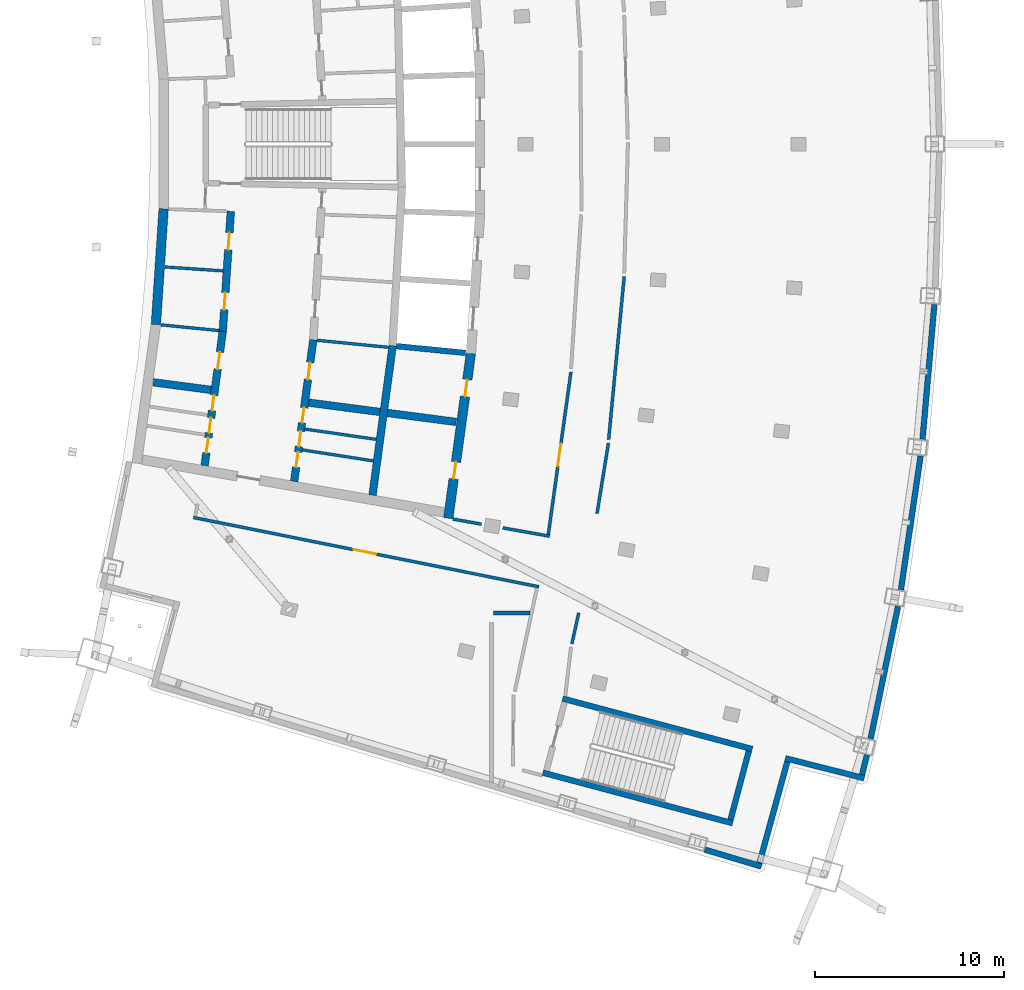
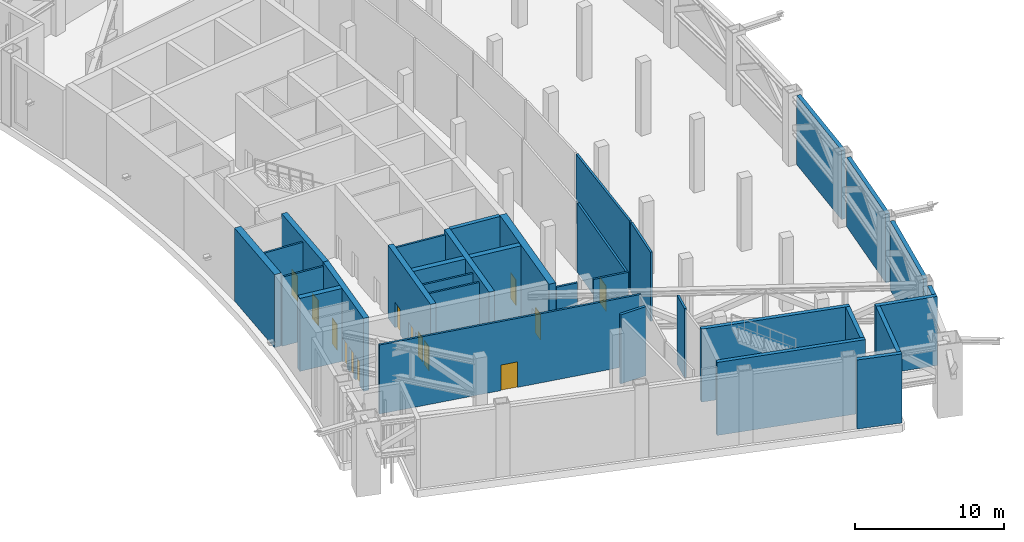
# One storey, part 14 of 23: 33 walls, 14 doors, 14 openings.
"""IFC4 building model written with IfcOpenShell, lengths in metres."""

import ifcopenshell
import ifcopenshell.guid

model = None  # the IFC model being written
_history = None  # IfcOwnerHistory: only IFC2X3 demands one
_inside = {}  # id of a spatial element -> (the spatial element, [elements in it])
_under = {}  # id of a project, library or spatial element -> (it, [spatial elements below it])
_declared = {}  # id of a project -> (the project, [libraries it declares])
_typed = {}  # id of a type object -> (the type object, [elements of that type])
_made_of = {}  # id of a material, layer set ... -> (it, [elements and type objects made of it])


def new_model(schema):
    """Start an empty IFC model of exactly this schema.

    Asked for "IFC4X3", IfcOpenShell would pick the latest addendum, in which some entities
    have other attributes; the version numbers below select the first issue.
    IFC2X3 requires an IfcOwnerHistory on every rooted entity: one is made here for all.
    """
    global model, _history
    if schema == "IFC4X3":
        model = ifcopenshell.file(schema_version=(4, 3, 0, 0))
    else:
        model = ifcopenshell.file(schema=schema)
    _inside.clear()
    _under.clear()
    _declared.clear()
    _typed.clear()
    _made_of.clear()
    _history = None
    if model.schema == "IFC2X3":
        org = make("IfcOrganization", Name="unknown")
        user = make(
            "IfcPersonAndOrganization",
            ThePerson=make("IfcPerson", FamilyName="unknown"),
            TheOrganization=org,
        )
        app = make(
            "IfcApplication",
            ApplicationDeveloper=org,
            Version="unknown",
            ApplicationFullName="unknown",
            ApplicationIdentifier="unknown",
        )
        _history = make(
            "IfcOwnerHistory",
            OwningUser=user,
            OwningApplication=app,
            ChangeAction="ADDED",
            CreationDate=0,
        )
    return model


def make(cls, **values):
    """One entity of the class cls with the attributes given. An attribute that is None is left unset."""
    return model.create_entity(
        cls, **{name: value for name, value in values.items() if value is not None}
    )


def rooted(cls, **values):
    """An entity with a GlobalId (a new one), such as an element, a storey or a relation."""
    return make(cls, GlobalId=ifcopenshell.guid.new(), OwnerHistory=_history, **values)


def si_unit(unit_type, name, prefix=None):
    """IfcSIUnit, for example si_unit("LENGTHUNIT", "METRE", prefix="MILLI")."""
    return make("IfcSIUnit", UnitType=unit_type, Prefix=prefix, Name=name)


def assignment(units):
    """IfcUnitAssignment: the units of a project."""
    return None if units is None else make("IfcUnitAssignment", Units=units)


def point(xyz):
    """IfcCartesianPoint."""
    return None if xyz is None else make("IfcCartesianPoint", Coordinates=xyz)


def direction(xyz):
    """IfcDirection."""
    return None if xyz is None else make("IfcDirection", DirectionRatios=xyz)


def frame(location, z_axis=None, x_axis=None):
    """IfcAxis2Placement3D, a coordinate frame: its origin and axes. An axis left out is left unset."""
    return make(
        "IfcAxis2Placement3D",
        Location=point(location),
        Axis=direction(z_axis),
        RefDirection=direction(x_axis),
    )


def frame_2d(location, x_axis=None):
    """IfcAxis2Placement2D, a coordinate frame in the plane: its origin and x axis."""
    return make(
        "IfcAxis2Placement2D", Location=point(location), RefDirection=direction(x_axis)
    )


def origin():
    """The frame at (0, 0, 0) with its axes left unset."""
    return frame((0.0, 0.0, 0.0))


def place(relative_to, where):
    """IfcLocalPlacement: puts the frame where relative to a parent placement (None: the world)."""
    return make(
        "IfcLocalPlacement", PlacementRelTo=relative_to, RelativePlacement=where
    )


def context(
    kind, dimensions, precision=None, world=None, true_north=None, identifier=None
):
    """IfcGeometricRepresentationContext, for example the 3D "Model" context."""
    return make(
        "IfcGeometricRepresentationContext",
        ContextIdentifier=identifier,
        ContextType=kind,
        CoordinateSpaceDimension=dimensions,
        Precision=precision,
        WorldCoordinateSystem=world,
        TrueNorth=true_north,
    )


def subcontext(parent, identifier, kind, view, scale=None):
    """IfcGeometricRepresentationSubContext, for example "Body" below "Model"."""
    return make(
        "IfcGeometricRepresentationSubContext",
        ContextIdentifier=identifier,
        ContextType=kind,
        ParentContext=parent,
        TargetScale=scale,
        TargetView=view,
    )


def project(units=None, contexts=None):
    """IfcProject with its units and contexts."""
    return rooted(
        "IfcProject",
        Name="project",
        RepresentationContexts=contexts,
        UnitsInContext=assignment(units),
    )


def spatial(cls, under=None, at=None, **own):
    """A site, building, storey or space (cls), placed at a placement, below another one or the project."""
    s = rooted(cls, ObjectPlacement=at, **own)
    if under is not None:
        _under.setdefault(under.id(), (under, []))[1].append(s)
    return s


def profile(cls, at=None, kind="AREA", **sizes):
    """A parametric profile (cls). Its sizes go by their IFC names, for example OverallWidth=200.0."""
    return make(cls, ProfileType=kind, Position=at, **sizes)


def rectangle(**sizes):
    """IfcRectangleProfileDef."""
    return profile("IfcRectangleProfileDef", **sizes)


def extrude(swept, where, along, depth):
    """IfcExtrudedAreaSolid: the profile swept, set in the frame where, extruded along a direction by depth."""
    return make(
        "IfcExtrudedAreaSolid",
        SweptArea=swept,
        Position=where,
        ExtrudedDirection=direction(along),
        Depth=depth,
    )


def shape(context_of_items, identifier, shape_type, items):
    """IfcShapeRepresentation: the items that make up one representation, for example the "Body"."""
    return make(
        "IfcShapeRepresentation",
        ContextOfItems=context_of_items,
        RepresentationIdentifier=identifier,
        RepresentationType=shape_type,
        Items=items,
    )


def material(Name=None, Category=None):
    """IfcMaterial."""
    return make("IfcMaterial", Name=Name, Category=Category)


def layer(
    of_material, thickness, ventilated=None, Name=None, Category=None, Priority=None
):
    """IfcMaterialLayer: one layer of a wall or slab, of a material (None: an air gap)."""
    return make(
        "IfcMaterialLayer",
        Material=of_material,
        LayerThickness=thickness,
        IsVentilated=ventilated,
        Name=Name,
        Category=Category,
        Priority=Priority,
    )


def layer_set(layers, Name=None):
    """IfcMaterialLayerSet."""
    return make("IfcMaterialLayerSet", MaterialLayers=layers, LayerSetName=Name)


def made_of(thing, what):
    """Note that an element or type object is made of a material, layer set ...; save() writes the relation."""
    if what is not None:
        _made_of.setdefault(what.id(), (what, []))[1].append(thing)
    return thing


def type_object(cls, material=None, **own):
    """A type object (cls), such as IfcWallType, which elements share."""
    return made_of(rooted(cls, **own), material)


def element(
    cls,
    number,
    at=None,
    inside=None,
    cuts=None,
    type_object=None,
    material=None,
    context=None,
    identifier="Body",
    shape_type=None,
    held_by="IfcProductDefinitionShape",
    body=None,
    shapes=None,
    **own,
):
    """One element of the class cls, such as IfcWall. Its Tag is "e" and its number.

    at: its placement. inside: the storey or other place that contains it. cuts: it is an
    opening in that element (IfcRelVoidsElement). A single representation is given by context,
    identifier, shape_type and body (its items); several are given by shapes. held_by: the class
    of the entity that holds the representations. save() writes the other relations.
    """
    e = rooted(cls, Tag="e%d" % number, ObjectPlacement=at, **own)
    if body is not None:
        shapes = [shape(context, identifier, shape_type, body)]
    if shapes is not None:
        e.Representation = make(held_by, Representations=shapes)
    if inside is not None:
        _inside.setdefault(inside.id(), (inside, []))[1].append(e)
    if cuts is not None:
        rooted(
            "IfcRelVoidsElement", RelatingBuildingElement=cuts, RelatedOpeningElement=e
        )
    if type_object is not None:
        _typed.setdefault(type_object.id(), (type_object, []))[1].append(e)
    return made_of(e, material)


def fill(opening, filler):
    """IfcRelFillsElement: the door or window that sits in an opening."""
    return rooted(
        "IfcRelFillsElement",
        RelatingOpeningElement=opening,
        RelatedBuildingElement=filler,
    )


def aggregate(whole, parts):
    """IfcRelAggregates: a whole, such as a stair, and the parts it consists of."""
    return rooted("IfcRelAggregates", RelatingObject=whole, RelatedObjects=parts)


def save(model, path):
    """Write the relations noted so far, then the file.

    IfcRelAggregates (storeys below a building ...), IfcRelContainedInSpatialStructure (elements
    in a storey), IfcRelDefinesByType, IfcRelAssociatesMaterial and IfcRelDeclares: one each for
    every whole, place, type object, material and project.
    """
    for whole, parts in _under.values():
        aggregate(whole, parts)
    for where, things in _inside.values():
        rooted(
            "IfcRelContainedInSpatialStructure",
            RelatedElements=things,
            RelatingStructure=where,
        )
    for kind, things in _typed.values():
        rooted("IfcRelDefinesByType", RelatedObjects=things, RelatingType=kind)
    for what, things in _made_of.values():
        rooted("IfcRelAssociatesMaterial", RelatedObjects=things, RelatingMaterial=what)
    for by, libraries in _declared.values():
        rooted("IfcRelDeclares", RelatingContext=by, RelatedDefinitions=libraries)
    model.write(path)


model = new_model("IFC4")

# Units and contexts
model_context = context("Model", 3, precision=1e-05, world=origin(), true_north=direction((0.0, 1.0)))
body_context = subcontext(model_context, "Body", "Model", "MODEL_VIEW")
ifc_project = project(units=[si_unit("LENGTHUNIT", "METRE"), si_unit("AREAUNIT", "SQUARE_METRE"), si_unit("VOLUMEUNIT", "CUBIC_METRE"), si_unit("PLANEANGLEUNIT", "RADIAN"), si_unit("MASSUNIT", "GRAM", prefix="KILO")], contexts=[model_context])

# Site, building, storey
site_placement = place(None, origin())
site = spatial("IfcSite", under=ifc_project, at=site_placement, CompositionType="ELEMENT")
building_placement = place(site_placement, origin())
building = spatial("IfcBuilding", under=site, at=building_placement, Name="Alderwake Tower", CompositionType="ELEMENT")
storey_placement = place(building_placement, frame((0.0, 0.0, 239.60009765625)))
storey = spatial("IfcBuildingStorey", under=building, at=storey_placement, Name="L59", CompositionType="ELEMENT", Elevation=239.60009765625)

# Walls
ifc_material_1 = material(Name="Gypsum shaft wall system, rated")
ifc_layer_1 = layer(ifc_material_1, 0.14990234375)
ifc_layer_set_1 = layer_set([ifc_layer_1], Name="Core room partition 150")
wall_type_1 = type_object("IfcWallType", Name="Core room partition 150", PredefinedType="PARTITIONING", material=ifc_layer_set_1)
wall_1_placement = place(storey_placement, frame((24.007568359375, 44.859130859375, 0.0), z_axis=(0.0, 0.0, 1.0), x_axis=(0.98816936707, -0.153366560842, 0.0)))
element("IfcWall", 1, at=wall_1_placement, inside=storey, type_object=wall_type_1, Name="CW/L59/PR-161_+86", PredefinedType="PARTITIONING", context=body_context, shape_type="SweptSolid", body=[
    extrude(rectangle(XDim=3.796630859375, YDim=0.14990234375, at=frame_2d((1.8984375, 0.0))), origin(), (0.0, 0.0, 1.0), 5.679931640625),
])
wall_2_placement = place(storey_placement, frame((24.156005859375, 45.956298828125, 0.0), z_axis=(0.0, 0.0, 1.0), x_axis=(0.989733513529, -0.142925057975, 0.0)))
element("IfcWall", 2, at=wall_2_placement, inside=storey, type_object=wall_type_1, Name="CW/L59/PR-150_+86", PredefinedType="PARTITIONING", context=body_context, shape_type="SweptSolid", body=[
    extrude(rectangle(XDim=3.795654296875, YDim=0.14990234375, at=frame_2d((1.89794921875, 0.0))), origin(), (0.0, 0.0, 1.0), 5.679931640625),
])
wall_3_placement = place(storey_placement, frame((16.559814453125, 51.458251953125, 0.0), z_axis=(0.0, 0.0, 1.0), x_axis=(0.99515693677, -0.098298887065, 0.0)))
element("IfcWall", 3, at=wall_3_placement, inside=storey, type_object=wall_type_1, Name="CW/L59/PR-103_+0", PredefinedType="PARTITIONING", context=body_context, shape_type="SweptSolid", body=[
    extrude(rectangle(XDim=3.06982421875, YDim=0.14990234375, at=frame_2d((1.534912109375, 0.0))), origin(), (0.0, 0.0, 1.0), 5.679931640625),
])
wall_4_placement = place(storey_placement, frame((24.789794921875, 50.64501953125, 0.0), z_axis=(0.0, 0.0, 1.0), x_axis=(0.995153039802, -0.098338331148, 0.0)))
element("IfcWall", 4, at=wall_4_placement, inside=storey, type_object=wall_type_1, Name="CW/L59/PR-103_+86", PredefinedType="PARTITIONING", context=body_context, shape_type="SweptSolid", body=[
    extrude(rectangle(XDim=3.7958984375, YDim=0.14990234375, at=frame_2d((1.89794921875, 0.0))), origin(), (0.0, 0.0, 1.0), 5.679931640625),
])
wall_5_placement = place(storey_placement, frame((16.7646484375, 54.512939453125, 0.0), z_axis=(0.0, 0.0, 1.0), x_axis=(0.997758318264, -0.066920388042, 0.0)))
element("IfcWall", 5, at=wall_5_placement, inside=storey, type_object=wall_type_1, Name="CW/L59/PR-70_+0", PredefinedType="PARTITIONING", context=body_context, shape_type="SweptSolid", body=[
    extrude(rectangle(XDim=3.068115234375, YDim=0.14990234375, at=frame_2d((1.5341796875, 0.0))), origin(), (0.0, 0.0, 1.0), 5.679931640625),
])
ifc_material_2 = material(Name="Concrete C70/85", Category="concrete")
ifc_layer_2 = layer(ifc_material_2, 0.5)
ifc_layer_set_2 = layer_set([ifc_layer_2], Name="Core wall outer 500 C70-85")
wall_type_2 = type_object("IfcWallType", Name="Core wall outer 500 C70-85", PredefinedType="SHEAR", material=ifc_layer_set_2)
wall_6_placement = place(storey_placement, frame((16.280517578125, 51.4765625, 0.0), z_axis=(0.0, 0.0, 1.0), x_axis=(0.066863022947, 0.997762164127, 0.0)))
element("IfcWall", 6, at=wall_6_placement, inside=storey, type_object=wall_type_2, Name="Core wall CW.027", PredefinedType="SHEAR", context=body_context, shape_type="SweptSolid", body=[
    extrude(rectangle(XDim=6.123291015625, YDim=0.5, at=frame_2d((3.0615234375, 0.0))), origin(), (0.0, 0.0, 1.0), 6.0),
])

# Wall, openings, doors
wall_7_placement = place(storey_placement, frame((32.912109375, 49.960693359375, 0.0), z_axis=(0.0, 0.0, 1.0), x_axis=(-0.1358539401, -0.990728876615, 0.0)))
wall_7 = element("IfcWall", 7, at=wall_7_placement, inside=storey, type_object=wall_type_2, Name="Core wall CW.022", PredefinedType="SHEAR", context=body_context, shape_type="SweptSolid", body=[
    extrude(rectangle(XDim=8.794921875, YDim=0.5, at=frame_2d((4.3974609375, 0.0))), origin(), (0.0, 0.0, 1.0), 6.0),
])
opening_1_placement = place(wall_7_placement, frame((1.40283203125, 0.0, 0.0)))
opening_1 = element("IfcOpeningElement", 8, at=opening_1_placement, cuts=wall_7, Name="Opening C050", PredefinedType="OPENING", context=body_context, shape_type="SweptSolid", body=[
    extrude(rectangle(XDim=0.89990234375, YDim=2.10009765625, at=frame_2d((0.449951171875, 1.050048828125))), frame((0.0, 0.260009765625, 0.0), z_axis=(0.0, -1.0, 0.0), x_axis=(1.0, 0.0, 0.0)), (0.0, 0.0, 1.0), 0.52001953125),
])
opening_2_placement = place(wall_7_placement, frame((5.79638671875, 0.0, 0.0)))
opening_2 = element("IfcOpeningElement", 9, at=opening_2_placement, cuts=wall_7, Name="Opening C061", PredefinedType="OPENING", context=body_context, shape_type="SweptSolid", body=[
    extrude(rectangle(XDim=0.89990234375, YDim=2.10009765625, at=frame_2d((0.449951171875, 1.050048828125))), frame((0.0, 0.260009765625, 0.0), z_axis=(0.0, -1.0, 0.0), x_axis=(1.0, 0.0, 0.0)), (0.0, 0.0, 1.0), 0.52001953125),
])
ifc_material_3 = material(Name="Painted steel leaf", Category="steel")
door_type_1 = type_object("IfcDoorType", Name="Core room door 900", OperationType="SINGLE_SWING_LEFT", PredefinedType="DOOR", material=ifc_material_3)
door_1_placement = place(opening_1_placement, origin())
door_1 = element("IfcDoor", 10, at=door_1_placement, inside=storey, type_object=door_type_1, Name="Room door", OperationType="SINGLE_SWING_RIGHT", OverallHeight=2.10009765625, OverallWidth=0.89990234375, PredefinedType="DOOR", context=body_context, shape_type="SweptSolid", body=[
    extrude(rectangle(XDim=0.89990234375, YDim=2.10009765625, at=frame_2d((0.449951171875, 1.050048828125))), frame((0.0, 0.02490234375, 0.0), z_axis=(0.0, -1.0, 0.0), x_axis=(1.0, 0.0, 0.0)), (0.0, 0.0, 1.0), 0.050048828125),
])
fill(opening_1, door_1)
door_2_placement = place(opening_2_placement, origin())
door_2 = element("IfcDoor", 11, at=door_2_placement, inside=storey, type_object=door_type_1, Name="Room door", OperationType="SINGLE_SWING_LEFT", OverallHeight=2.10009765625, OverallWidth=0.89990234375, PredefinedType="DOOR", context=body_context, shape_type="SweptSolid", body=[
    extrude(rectangle(XDim=0.89990234375, YDim=2.10009765625, at=frame_2d((0.449951171875, 1.050048828125))), frame((0.0, 0.02490234375, 0.0), z_axis=(0.0, -1.0, 0.0), x_axis=(1.0, 0.0, 0.0)), (0.0, 0.0, 1.0), 0.050048828125),
])
fill(opening_2, door_2)

# Wall
ifc_material_4 = material(Name="Concrete C70/85", Category="concrete")
ifc_layer_3 = layer(ifc_material_4, 0.300048828125)
ifc_layer_set_3 = layer_set([ifc_layer_3], Name="Core wall shaft 300 C70-85")
wall_type_3 = type_object("IfcWallType", Name="Core wall shaft 300 C70-85", PredefinedType="SHEAR", material=ifc_layer_set_3)
wall_8_placement = place(storey_placement, frame((28.9794921875, 50.336181640625, 0.0), z_axis=(0.0, 0.0, 1.0), x_axis=(0.995245736737, -0.097395705788, 0.0)))
element("IfcWall", 12, at=wall_8_placement, inside=storey, type_object=wall_type_3, Name="Core wall CW.064", PredefinedType="SHEAR", context=body_context, shape_type="SweptSolid", body=[
    extrude(rectangle(XDim=3.669677734375, YDim=0.300048828125, at=frame_2d((1.8349609375, 0.0))), origin(), (0.0, 0.0, 1.0), 6.0),
])

# Wall, openings, doors
ifc_material_5 = material(Name="Concrete C70/85", Category="concrete")
ifc_layer_4 = layer(ifc_material_5, 0.39990234375)
ifc_layer_set_4 = layer_set([ifc_layer_4], Name="Core wall spine 400 C70-85")
wall_type_4 = type_object("IfcWallType", Name="Core wall spine 400 C70-85", PredefinedType="SHEAR", material=ifc_layer_set_4)
wall_9_placement = place(storey_placement, frame((19.814697265625, 51.143798828125, 0.0), z_axis=(0.0, 0.0, 1.0), x_axis=(-0.133823115837, -0.991005233925, 0.0)))
wall_9 = element("IfcWall", 13, at=wall_9_placement, inside=storey, type_object=wall_type_4, Name="Core wall CW.033", PredefinedType="SHEAR", context=body_context, shape_type="SweptSolid", body=[
    extrude(rectangle(XDim=7.1787109375, YDim=0.39990234375, at=frame_2d((3.58935546875, 0.0))), origin(), (0.0, 0.0, 1.0), 6.0),
])
opening_3_placement = place(wall_9_placement, frame((5.69677734375, 0.0, 0.0)))
opening_3 = element("IfcOpeningElement", 14, at=opening_3_placement, cuts=wall_9, Name="Opening C009", PredefinedType="OPENING", context=body_context, shape_type="SweptSolid", body=[
    extrude(rectangle(XDim=0.800048828125, YDim=2.0, at=frame_2d((0.39990234375, 1.0))), frame((0.0, 0.2099609375, 0.0), z_axis=(0.0, -1.0, 0.0), x_axis=(1.0, 0.0, 0.0)), (0.0, 0.0, 1.0), 0.419921875),
])
opening_4_placement = place(wall_9_placement, frame((4.641845703125, 0.0, 0.0)))
opening_4 = element("IfcOpeningElement", 15, at=opening_4_placement, cuts=wall_9, Name="Opening C011", PredefinedType="OPENING", context=body_context, shape_type="SweptSolid", body=[
    extrude(rectangle(XDim=0.800048828125, YDim=2.0, at=frame_2d((0.39990234375, 1.0))), frame((0.0, 0.2099609375, 0.0), z_axis=(0.0, -1.0, 0.0), x_axis=(1.0, 0.0, 0.0)), (0.0, 0.0, 1.0), 0.419921875),
])
opening_5_placement = place(wall_9_placement, frame((3.443115234375, 0.0, 0.0)))
opening_5 = element("IfcOpeningElement", 16, at=opening_5_placement, cuts=wall_9, Name="Opening C012", PredefinedType="OPENING", context=body_context, shape_type="SweptSolid", body=[
    extrude(rectangle(XDim=0.800048828125, YDim=2.0, at=frame_2d((0.39990234375, 1.0))), frame((0.0, 0.2099609375, 0.0), z_axis=(0.0, -1.0, 0.0), x_axis=(1.0, 0.0, 0.0)), (0.0, 0.0, 1.0), 0.419921875),
])
opening_6_placement = place(wall_9_placement, frame((1.13916015625, 0.0, 0.0)))
opening_6 = element("IfcOpeningElement", 17, at=opening_6_placement, cuts=wall_9, Name="Opening C039", PredefinedType="OPENING", context=body_context, shape_type="SweptSolid", body=[
    extrude(rectangle(XDim=0.89990234375, YDim=2.10009765625, at=frame_2d((0.449951171875, 1.050048828125))), frame((0.0, 0.2099609375, 0.0), z_axis=(0.0, -1.0, 0.0), x_axis=(1.0, 0.0, 0.0)), (0.0, 0.0, 1.0), 0.419921875),
])
door_3_placement = place(opening_6_placement, origin())
door_3 = element("IfcDoor", 18, at=door_3_placement, inside=storey, type_object=door_type_1, Name="Room door", OperationType="SINGLE_SWING_RIGHT", OverallHeight=2.10009765625, OverallWidth=0.89990234375, PredefinedType="DOOR", context=body_context, shape_type="SweptSolid", body=[
    extrude(rectangle(XDim=0.89990234375, YDim=2.10009765625, at=frame_2d((0.449951171875, 1.050048828125))), frame((0.0, 0.02490234375, 0.0), z_axis=(0.0, -1.0, 0.0), x_axis=(1.0, 0.0, 0.0)), (0.0, 0.0, 1.0), 0.050048828125),
])
fill(opening_6, door_3)
ifc_material_6 = material(Name="Painted steel leaf, rated", Category="steel")
door_type_2 = type_object("IfcDoorType", Name="Riser access door 800", OperationType="SINGLE_SWING_LEFT", PredefinedType="DOOR", material=ifc_material_6)
door_4_placement = place(opening_3_placement, origin())
door_4 = element("IfcDoor", 19, at=door_4_placement, inside=storey, type_object=door_type_2, Name="Riser access door", OperationType="SINGLE_SWING_LEFT", OverallHeight=2.0, OverallWidth=0.800048828125, PredefinedType="DOOR", context=body_context, shape_type="SweptSolid", body=[
    extrude(rectangle(XDim=0.800048828125, YDim=2.0, at=frame_2d((0.39990234375, 1.0))), frame((0.0, 0.02490234375, 0.0), z_axis=(0.0, -1.0, 0.0), x_axis=(1.0, 0.0, 0.0)), (0.0, 0.0, 1.0), 0.050048828125),
])
fill(opening_3, door_4)
door_5_placement = place(opening_4_placement, origin())
door_5 = element("IfcDoor", 20, at=door_5_placement, inside=storey, type_object=door_type_2, Name="Riser access door", OperationType="SINGLE_SWING_RIGHT", OverallHeight=2.0, OverallWidth=0.800048828125, PredefinedType="DOOR", context=body_context, shape_type="SweptSolid", body=[
    extrude(rectangle(XDim=0.800048828125, YDim=2.0, at=frame_2d((0.39990234375, 1.0))), frame((0.0, 0.02490234375, 0.0), z_axis=(0.0, -1.0, 0.0), x_axis=(1.0, 0.0, 0.0)), (0.0, 0.0, 1.0), 0.050048828125),
])
fill(opening_4, door_5)
door_6_placement = place(opening_5_placement, origin())
door_6 = element("IfcDoor", 21, at=door_6_placement, inside=storey, type_object=door_type_2, Name="Riser access door", OperationType="SINGLE_SWING_LEFT", OverallHeight=2.0, OverallWidth=0.800048828125, PredefinedType="DOOR", context=body_context, shape_type="SweptSolid", body=[
    extrude(rectangle(XDim=0.800048828125, YDim=2.0, at=frame_2d((0.39990234375, 1.0))), frame((0.0, 0.02490234375, 0.0), z_axis=(0.0, -1.0, 0.0), x_axis=(1.0, 0.0, 0.0)), (0.0, 0.0, 1.0), 0.050048828125),
])
fill(opening_5, door_6)

wall_10_placement = place(storey_placement, frame((20.2373046875, 57.451904296875, 0.0), z_axis=(0.0, 0.0, 1.0), x_axis=(-0.066884681503, -0.997760712486, 0.0)))
wall_10 = element("IfcWall", 22, at=wall_10_placement, inside=storey, type_object=wall_type_4, Name="Core wall CW.032", PredefinedType="SHEAR", context=body_context, shape_type="SweptSolid", body=[
    extrude(rectangle(XDim=6.336669921875, YDim=0.39990234375, at=frame_2d((3.16845703125, 0.0))), origin(), (0.0, 0.0, 1.0), 6.0),
])
opening_7_placement = place(wall_10_placement, frame((4.29736328125, 0.0, 0.0)))
opening_7 = element("IfcOpeningElement", 23, at=opening_7_placement, cuts=wall_10, Name="Opening C041", PredefinedType="OPENING", context=body_context, shape_type="SweptSolid", body=[
    extrude(rectangle(XDim=0.89990234375, YDim=2.10009765625, at=frame_2d((0.449951171875, 1.050048828125))), frame((0.0, 0.2099609375, 0.0), z_axis=(0.0, -1.0, 0.0), x_axis=(1.0, 0.0, 0.0)), (0.0, 0.0, 1.0), 0.419921875),
])
opening_8_placement = place(wall_10_placement, frame((1.132080078125, 0.0, 0.0)))
opening_8 = element("IfcOpeningElement", 24, at=opening_8_placement, cuts=wall_10, Name="Opening C042", PredefinedType="OPENING", context=body_context, shape_type="SweptSolid", body=[
    extrude(rectangle(XDim=0.89990234375, YDim=2.10009765625, at=frame_2d((0.449951171875, 1.050048828125))), frame((0.0, 0.2099609375, 0.0), z_axis=(0.0, -1.0, 0.0), x_axis=(1.0, 0.0, 0.0)), (0.0, 0.0, 1.0), 0.419921875),
])
door_7_placement = place(opening_7_placement, origin())
door_7 = element("IfcDoor", 25, at=door_7_placement, inside=storey, type_object=door_type_1, Name="Room door", OperationType="SINGLE_SWING_LEFT", OverallHeight=2.10009765625, OverallWidth=0.89990234375, PredefinedType="DOOR", context=body_context, shape_type="SweptSolid", body=[
    extrude(rectangle(XDim=0.89990234375, YDim=2.10009765625, at=frame_2d((0.449951171875, 1.050048828125))), frame((0.0, 0.02490234375, 0.0), z_axis=(0.0, -1.0, 0.0), x_axis=(1.0, 0.0, 0.0)), (0.0, 0.0, 1.0), 0.050048828125),
])
fill(opening_7, door_7)
door_8_placement = place(opening_8_placement, origin())
door_8 = element("IfcDoor", 26, at=door_8_placement, inside=storey, type_object=door_type_1, Name="Room door", OperationType="SINGLE_SWING_RIGHT", OverallHeight=2.10009765625, OverallWidth=0.89990234375, PredefinedType="DOOR", context=body_context, shape_type="SweptSolid", body=[
    extrude(rectangle(XDim=0.89990234375, YDim=2.10009765625, at=frame_2d((0.449951171875, 1.050048828125))), frame((0.0, 0.02490234375, 0.0), z_axis=(0.0, -1.0, 0.0), x_axis=(1.0, 0.0, 0.0)), (0.0, 0.0, 1.0), 0.050048828125),
])
fill(opening_8, door_8)

wall_11_placement = place(storey_placement, frame((23.58056640625, 43.19384765625, 0.0), z_axis=(0.0, 0.0, 1.0), x_axis=(0.133962545762, 0.990986395635, 0.0)))
wall_11 = element("IfcWall", 27, at=wall_11_placement, inside=storey, type_object=wall_type_4, Name="Core wall CW.047", PredefinedType="SHEAR", context=body_context, shape_type="SweptSolid", body=[
    extrude(rectangle(XDim=7.546875, YDim=0.39990234375, at=frame_2d((3.7734375, 0.0))), origin(), (0.0, 0.0, 1.0), 6.0),
])
opening_9_placement = place(wall_11_placement, frame((0.7578125, 0.0, 0.0)))
opening_9 = element("IfcOpeningElement", 28, at=opening_9_placement, cuts=wall_11, Name="Opening C016", PredefinedType="OPENING", context=body_context, shape_type="SweptSolid", body=[
    extrude(rectangle(XDim=0.800048828125, YDim=2.0, at=frame_2d((0.39990234375, 1.0))), frame((0.0, 0.2099609375, 0.0), z_axis=(0.0, -1.0, 0.0), x_axis=(1.0, 0.0, 0.0)), (0.0, 0.0, 1.0), 0.419921875),
])
opening_10_placement = place(wall_11_placement, frame((1.86328125, 0.0, 0.0)))
opening_10 = element("IfcOpeningElement", 29, at=opening_10_placement, cuts=wall_11, Name="Opening C018", PredefinedType="OPENING", context=body_context, shape_type="SweptSolid", body=[
    extrude(rectangle(XDim=0.800048828125, YDim=2.0, at=frame_2d((0.39990234375, 1.0))), frame((0.0, 0.2099609375, 0.0), z_axis=(0.0, -1.0, 0.0), x_axis=(1.0, 0.0, 0.0)), (0.0, 0.0, 1.0), 0.419921875),
])
opening_11_placement = place(wall_11_placement, frame((3.119384765625, 0.0, 0.0)))
opening_11 = element("IfcOpeningElement", 30, at=opening_11_placement, cuts=wall_11, Name="Opening C019", PredefinedType="OPENING", context=body_context, shape_type="SweptSolid", body=[
    extrude(rectangle(XDim=0.800048828125, YDim=2.0, at=frame_2d((0.39990234375, 1.0))), frame((0.0, 0.2099609375, 0.0), z_axis=(0.0, -1.0, 0.0), x_axis=(1.0, 0.0, 0.0)), (0.0, 0.0, 1.0), 0.419921875),
])
opening_12_placement = place(wall_11_placement, frame((5.43115234375, 0.0, 0.0)))
opening_12 = element("IfcOpeningElement", 31, at=opening_12_placement, cuts=wall_11, Name="Opening C045", PredefinedType="OPENING", context=body_context, shape_type="SweptSolid", body=[
    extrude(rectangle(XDim=0.89990234375, YDim=2.10009765625, at=frame_2d((0.449951171875, 1.050048828125))), frame((0.0, 0.2099609375, 0.0), z_axis=(0.0, -1.0, 0.0), x_axis=(1.0, 0.0, 0.0)), (0.0, 0.0, 1.0), 0.419921875),
])
door_9_placement = place(opening_12_placement, origin())
door_9 = element("IfcDoor", 32, at=door_9_placement, inside=storey, type_object=door_type_1, Name="Room door", OperationType="SINGLE_SWING_LEFT", OverallHeight=2.10009765625, OverallWidth=0.89990234375, PredefinedType="DOOR", context=body_context, shape_type="SweptSolid", body=[
    extrude(rectangle(XDim=0.89990234375, YDim=2.10009765625, at=frame_2d((0.449951171875, 1.050048828125))), frame((0.0, 0.02490234375, 0.0), z_axis=(0.0, -1.0, 0.0), x_axis=(1.0, 0.0, 0.0)), (0.0, 0.0, 1.0), 0.050048828125),
])
fill(opening_12, door_9)
door_10_placement = place(opening_9_placement, origin())
door_10 = element("IfcDoor", 33, at=door_10_placement, inside=storey, type_object=door_type_2, Name="Riser access door", OperationType="SINGLE_SWING_RIGHT", OverallHeight=2.0, OverallWidth=0.800048828125, PredefinedType="DOOR", context=body_context, shape_type="SweptSolid", body=[
    extrude(rectangle(XDim=0.800048828125, YDim=2.0, at=frame_2d((0.39990234375, 1.0))), frame((0.0, 0.02490234375, 0.0), z_axis=(0.0, -1.0, 0.0), x_axis=(1.0, 0.0, 0.0)), (0.0, 0.0, 1.0), 0.050048828125),
])
fill(opening_9, door_10)
door_11_placement = place(opening_10_placement, origin())
door_11 = element("IfcDoor", 34, at=door_11_placement, inside=storey, type_object=door_type_2, Name="Riser access door", OperationType="SINGLE_SWING_LEFT", OverallHeight=2.0, OverallWidth=0.800048828125, PredefinedType="DOOR", context=body_context, shape_type="SweptSolid", body=[
    extrude(rectangle(XDim=0.800048828125, YDim=2.0, at=frame_2d((0.39990234375, 1.0))), frame((0.0, 0.02490234375, 0.0), z_axis=(0.0, -1.0, 0.0), x_axis=(1.0, 0.0, 0.0)), (0.0, 0.0, 1.0), 0.050048828125),
])
fill(opening_10, door_11)
door_12_placement = place(opening_11_placement, origin())
door_12 = element("IfcDoor", 35, at=door_12_placement, inside=storey, type_object=door_type_2, Name="Riser access door", OperationType="SINGLE_SWING_RIGHT", OverallHeight=2.0, OverallWidth=0.800048828125, PredefinedType="DOOR", context=body_context, shape_type="SweptSolid", body=[
    extrude(rectangle(XDim=0.800048828125, YDim=2.0, at=frame_2d((0.39990234375, 1.0))), frame((0.0, 0.02490234375, 0.0), z_axis=(0.0, -1.0, 0.0), x_axis=(1.0, 0.0, 0.0)), (0.0, 0.0, 1.0), 0.050048828125),
])
fill(opening_11, door_12)

# Walls
wall_12_placement = place(storey_placement, frame((27.716552734375, 42.46240234375, 0.0), z_axis=(0.0, 0.0, 1.0), x_axis=(0.133575701536, 0.991038612749, 0.0)))
element("IfcWall", 36, at=wall_12_placement, inside=storey, type_object=wall_type_4, Name="Core wall CW.006", PredefinedType="SHEAR", context=body_context, shape_type="SweptSolid", body=[
    extrude(rectangle(XDim=7.97265625, YDim=0.39990234375, at=frame_2d((3.986328125, 0.0))), origin(), (0.0, 0.0, 1.0), 6.0),
])
wall_13_placement = place(storey_placement, frame((16.142578125, 48.42529296875, 0.0), z_axis=(0.0, 0.0, 1.0), x_axis=(0.991550757989, -0.129719290517, 0.0)))
element("IfcWall", 37, at=wall_13_placement, inside=storey, type_object=wall_type_4, Name="Core wall CW.067", PredefinedType="SHEAR", context=body_context, shape_type="SweptSolid", body=[
    extrude(rectangle(XDim=3.0751953125, YDim=0.39990234375, at=frame_2d((1.53759765625, 0.0))), origin(), (0.0, 0.0, 1.0), 6.0),
])
wall_14_placement = place(storey_placement, frame((24.344482421875, 47.3525390625, 0.0), z_axis=(0.0, 0.0, 1.0), x_axis=(0.991554071493, -0.129693960172, 0.0)))
element("IfcWall", 38, at=wall_14_placement, inside=storey, type_object=wall_type_4, Name="Core wall CW.069", PredefinedType="SHEAR", context=body_context, shape_type="SweptSolid", body=[
    extrude(rectangle(XDim=3.794921875, YDim=0.39990234375, at=frame_2d((1.8974609375, 0.0))), origin(), (0.0, 0.0, 1.0), 6.0),
])
wall_15_placement = place(storey_placement, frame((28.504150390625, 46.808349609375, 0.0), z_axis=(0.0, 0.0, 1.0), x_axis=(0.991559805458, -0.129650114536, 0.0)))
element("IfcWall", 39, at=wall_15_placement, inside=storey, type_object=wall_type_4, Name="Core wall CW.068", PredefinedType="SHEAR", context=body_context, shape_type="SweptSolid", body=[
    extrude(rectangle(XDim=3.65869140625, YDim=0.39990234375, at=frame_2d((1.829345703125, 0.0))), origin(), (0.0, 0.0, 1.0), 6.0),
])
ifc_material_7 = material(Name="Concrete C70/85", Category="concrete")
ifc_layer_5 = layer(ifc_material_7, 0.300048828125)
ifc_layer_set_5 = layer_set([ifc_layer_5], Name="Core wall stair enclosure 300 C70-85")
wall_type_5 = type_object("IfcWallType", Name="Core wall stair enclosure 300 C70-85", PredefinedType="SHEAR", material=ifc_layer_set_5)
for number, where, z_axis, x_axis, name in (
    (40, (37.75390625, 31.731201171875, 0.0), (0.0, 0.0, 1.0), (0.966309214305, -0.257383958996, 0.0), "Core wall CW.086"),
    (41, (36.71142578125, 27.817626953125, 0.0), (0.0, 0.0, 1.0), (0.966309214305, -0.257383958996, 0.0), "Core wall CW.088"),
):
    element("IfcWall", number, at=place(storey_placement, frame(where, z_axis=z_axis, x_axis=x_axis)), inside=storey, type_object=wall_type_5, Name=name, PredefinedType="SHEAR", context=body_context, shape_type="SweptSolid", body=[
        extrude(rectangle(XDim=10.360107421875, YDim=0.300048828125, at=frame_2d((5.18017578125, 0.0))), origin(), (0.0, 0.0, 1.0), 6.0),
    ])
wall_16_placement = place(storey_placement, frame((46.6162109375, 25.334716796875, 0.0), z_axis=(0.0, 0.0, 1.0), x_axis=(0.257366821694, 0.966313778796, 0.0)))
element("IfcWall", 42, at=wall_16_placement, inside=storey, type_object=wall_type_5, Name="Core wall CW.085", PredefinedType="SHEAR", context=body_context, shape_type="SweptSolid", body=[
    extrude(rectangle(XDim=3.749755859375, YDim=0.300048828125, at=frame_2d((1.875, 0.0))), origin(), (0.0, 0.0, 1.0), 6.0),
])

# Wall, opening, door
ifc_material_8 = material(Name="Gypsum board on metal studs, rated")
ifc_layer_6 = layer(ifc_material_8, 0.159912109375)
ifc_layer_set_6 = layer_set([ifc_layer_6], Name="Corridor wall 160")
wall_type_6 = type_object("IfcWallType", Name="Corridor wall 160", PredefinedType="PARTITIONING", material=ifc_layer_set_6)
wall_17_placement = place(storey_placement, frame((18.263671875, 41.289794921875, 0.0), z_axis=(0.0, 0.0, 1.0), x_axis=(0.980479532424, -0.196621175102, 0.0)))
wall_17 = element("IfcWall", 43, at=wall_17_placement, inside=storey, type_object=wall_type_6, Name="WL/L59/W05", PredefinedType="PARTITIONING", context=body_context, shape_type="SweptSolid", body=[
    extrude(rectangle(XDim=18.591796875, YDim=0.159912109375, at=frame_2d((9.2958984375, 0.0))), origin(), (0.0, 0.0, 1.0), 5.679931640625),
])
opening_13_placement = place(wall_17_placement, frame((8.629150390625, 0.0, 0.0)))
opening_13 = element("IfcOpeningElement", 44, at=opening_13_placement, cuts=wall_17, Name="Opening L59-03", PredefinedType="OPENING", context=body_context, shape_type="SweptSolid", body=[
    extrude(rectangle(XDim=1.199951171875, YDim=2.10009765625, at=frame_2d((0.60009765625, 1.050048828125))), frame((0.0, 0.08984375, 0.0), z_axis=(0.0, -1.0, 0.0), x_axis=(1.0, 0.0, 0.0)), (0.0, 0.0, 1.0), 0.179931640625),
])
ifc_material_9 = material(Name="Steel door leaf in steel frame", Category="steel")
door_type_3 = type_object("IfcDoorType", Name="Plant room door 1200 steel", OperationType="SINGLE_SWING_LEFT", PredefinedType="DOOR", material=ifc_material_9)
door_13_placement = place(opening_13_placement, origin())
door_13 = element("IfcDoor", 45, at=door_13_placement, inside=storey, type_object=door_type_3, Name="DR/L59/03", OperationType="SINGLE_SWING_LEFT", OverallHeight=2.10009765625, OverallWidth=1.199951171875, PredefinedType="DOOR", context=body_context, shape_type="SweptSolid", body=[
    extrude(rectangle(XDim=1.199951171875, YDim=2.10009765625, at=frame_2d((0.60009765625, 1.050048828125))), frame((0.0, 0.02490234375, 0.0), z_axis=(0.0, -1.0, 0.0), x_axis=(1.0, 0.0, 0.0)), (0.0, 0.0, 1.0), 0.050048828125),
])
fill(opening_13, door_13)

# Walls
wall_18_placement = place(storey_placement, frame((37.06591796875, 40.302978515625, 0.0), z_axis=(0.0, 0.0, 1.0), x_axis=(-0.984737492575, 0.174046174098, 0.0)))
element("IfcWall", 46, at=wall_18_placement, inside=storey, type_object=wall_type_6, Name="WL/L59/W19", PredefinedType="PARTITIONING", context=body_context, shape_type="SweptSolid", body=[
    extrude(rectangle(XDim=2.509521484375, YDim=0.159912109375, at=frame_2d((1.2548828125, 0.0))), origin(), (0.0, 0.0, 1.0), 5.679931640625),
])
wall_19_placement = place(storey_placement, frame((33.46826171875, 40.938720703125, 0.0), z_axis=(0.0, 0.0, 1.0), x_axis=(-0.984724053358, 0.174122194848, 0.0)))
element("IfcWall", 47, at=wall_19_placement, inside=storey, type_object=wall_type_6, Name="WL/L59/W37", PredefinedType="PARTITIONING", context=body_context, shape_type="SweptSolid", body=[
    extrude(rectangle(XDim=1.52978515625, YDim=0.159912109375, at=frame_2d((0.764892578125, 0.0))), origin(), (0.0, 0.0, 1.0), 5.679931640625),
])

# Wall, opening, door
wall_20_placement = place(storey_placement, frame((38.19189453125, 48.97314453125, 0.0), z_axis=(0.0, 0.0, 1.0), x_axis=(-0.137864168402, -0.990451145222, 0.0)))
wall_20 = element("IfcWall", 48, at=wall_20_placement, inside=storey, type_object=wall_type_6, Name="WL/L59/W23", PredefinedType="PARTITIONING", context=body_context, shape_type="SweptSolid", body=[
    extrude(rectangle(XDim=8.65966796875, YDim=0.159912109375, at=frame_2d((4.329833984375, 0.0))), origin(), (0.0, 0.0, 1.0), 5.679931640625),
])
opening_14_placement = place(wall_20_placement, frame((3.830322265625, 0.0, 0.0)))
opening_14 = element("IfcOpeningElement", 49, at=opening_14_placement, cuts=wall_20, Name="Opening L59-06", PredefinedType="OPENING", context=body_context, shape_type="SweptSolid", body=[
    extrude(rectangle(XDim=1.199951171875, YDim=2.10009765625, at=frame_2d((0.60009765625, 1.050048828125))), frame((0.0, 0.08984375, 0.0), z_axis=(0.0, -1.0, 0.0), x_axis=(1.0, 0.0, 0.0)), (0.0, 0.0, 1.0), 0.179931640625),
])
door_14_placement = place(opening_14_placement, origin())
door_14 = element("IfcDoor", 50, at=door_14_placement, inside=storey, type_object=door_type_3, Name="DR/L59/06", OperationType="SINGLE_SWING_LEFT", OverallHeight=2.10009765625, OverallWidth=1.199951171875, PredefinedType="DOOR", context=body_context, shape_type="SweptSolid", body=[
    extrude(rectangle(XDim=1.199951171875, YDim=2.10009765625, at=frame_2d((0.60009765625, 1.050048828125))), frame((0.0, 0.02490234375, 0.0), z_axis=(0.0, -1.0, 0.0), x_axis=(1.0, 0.0, 0.0)), (0.0, 0.0, 1.0), 0.050048828125),
])
fill(opening_14, door_14)

# Walls
wall_21_placement = place(storey_placement, frame((38.24169921875, 34.619384765625, 0.0), z_axis=(0.0, 0.0, 1.0), x_axis=(0.217023363619, 0.976166409811, 0.0)))
element("IfcWall", 51, at=wall_21_placement, inside=storey, type_object=wall_type_6, Name="WL/L59/W24", PredefinedType="PARTITIONING", context=body_context, shape_type="SweptSolid", body=[
    extrude(rectangle(XDim=1.66943359375, YDim=0.159912109375, at=frame_2d((0.834716796875, 0.0))), origin(), (0.0, 0.0, 1.0), 5.679931640625),
])
wall_22_placement = place(storey_placement, frame((39.570068359375, 41.4990234375, 0.0), z_axis=(0.0, 0.0, 1.0), x_axis=(0.159529987345, 0.987193083007, 0.0)))
element("IfcWall", 52, at=wall_22_placement, inside=storey, type_object=wall_type_6, Name="WL/L59/W30", PredefinedType="PARTITIONING", context=body_context, shape_type="SweptSolid", body=[
    extrude(rectangle(XDim=3.766357421875, YDim=0.159912109375, at=frame_2d((1.88330078125, 0.0))), origin(), (0.0, 0.0, 1.0), 5.679931640625),
])
wall_23_placement = place(storey_placement, frame((40.183349609375, 45.403564453125, 0.0), z_axis=(0.0, 0.0, 1.0), x_axis=(0.094731831177, 0.995502827802, 0.0)))
element("IfcWall", 53, at=wall_23_placement, inside=storey, type_object=wall_type_6, Name="WL/L59/W31", PredefinedType="PARTITIONING", context=body_context, shape_type="SweptSolid", body=[
    extrude(rectangle(XDim=8.64892578125, YDim=0.159912109375, at=frame_2d((4.324462890625, 0.0))), origin(), (0.0, 0.0, 1.0), 5.679931640625),
])
ifc_material_10 = material(Name="Bronze metal cladding on lightweight framing")
ifc_layer_7 = layer(ifc_material_10, 0.300048828125)
ifc_layer_set_7 = layer_set([ifc_layer_7], Name="External wall EW3 plant enclosure")
wall_type_7 = type_object("IfcWallType", Name="External wall EW3 plant enclosure", PredefinedType="SOLIDWALL", material=ifc_layer_set_7)
wall_24_placement = place(storey_placement, frame((45.257080078125, 23.759765625, 0.0), z_axis=(0.0, 0.0, 1.0), x_axis=(0.957772449087, -0.287527278305, 0.0)))
element("IfcWall", 54, at=wall_24_placement, inside=storey, type_object=wall_type_7, Name="External wall 8", PredefinedType="SOLIDWALL", context=body_context, shape_type="SweptSolid", body=[
    extrude(rectangle(XDim=3.121337890625, YDim=0.300048828125, at=frame_2d((1.560546875, 0.0))), origin(), (0.0, 0.0, 1.0), 5.679931640625),
])
wall_25_placement = place(storey_placement, frame((48.142578125, 23.0498046875, 0.0), z_axis=(0.0, 0.0, 1.0), x_axis=(0.265098171891, 0.964221426468, 0.0)))
element("IfcWall", 55, at=wall_25_placement, inside=storey, type_object=wall_type_7, Name="External wall 9", PredefinedType="SOLIDWALL", context=body_context, shape_type="SweptSolid", body=[
    extrude(rectangle(XDim=5.546875, YDim=0.300048828125, at=frame_2d((2.7734375, 0.0))), origin(), (0.0, 0.0, 1.0), 5.679931640625),
])
wall_26_placement = place(storey_placement, frame((49.50732421875, 28.57958984375, 0.0), z_axis=(0.0, 0.0, 1.0), x_axis=(0.969429385377, -0.245370468408, 0.0)))
element("IfcWall", 56, at=wall_26_placement, inside=storey, type_object=wall_type_7, Name="External wall 10", PredefinedType="SOLIDWALL", context=body_context, shape_type="SweptSolid", body=[
    extrude(rectangle(XDim=4.29443359375, YDim=0.300048828125, at=frame_2d((2.147216796875, 0.0))), origin(), (0.0, 0.0, 1.0), 5.679931640625),
])
wall_27_placement = place(storey_placement, frame((53.560546875, 27.70849609375, 0.0), z_axis=(0.0, 0.0, 1.0), x_axis=(0.238370874344, 0.971174199752, 0.0)))
element("IfcWall", 57, at=wall_27_placement, inside=storey, type_object=wall_type_7, Name="External wall 11", PredefinedType="SOLIDWALL", context=body_context, shape_type="SweptSolid", body=[
    extrude(rectangle(XDim=1.076416015625, YDim=0.300048828125, at=frame_2d((0.5380859375, 0.0))), origin(), (0.0, 0.0, 1.0), 5.679931640625),
])
wall_28_placement = place(storey_placement, frame((54.010498046875, 29.6103515625, 0.0), z_axis=(0.0, 0.0, 1.0), x_axis=(0.202739139566, 0.979232781972, 0.0)))
element("IfcWall", 58, at=wall_28_placement, inside=storey, type_object=wall_type_7, Name="External wall 12", PredefinedType="SOLIDWALL", context=body_context, shape_type="SweptSolid", body=[
    extrude(rectangle(XDim=7.1337890625, YDim=0.300048828125, at=frame_2d((3.56689453125, 0.0))), origin(), (0.0, 0.0, 1.0), 5.679931640625),
])
wall_29_placement = place(storey_placement, frame((55.612548828125, 37.4765625, 0.0), z_axis=(0.0, 0.0, 1.0), x_axis=(0.14531565173, 0.989385345233, 0.0)))
element("IfcWall", 59, at=wall_29_placement, inside=storey, type_object=wall_type_7, Name="External wall 13", PredefinedType="SOLIDWALL", context=body_context, shape_type="SweptSolid", body=[
    extrude(rectangle(XDim=7.133544921875, YDim=0.300048828125, at=frame_2d((3.56689453125, 0.0))), origin(), (0.0, 0.0, 1.0), 5.679931640625),
])
wall_30_placement = place(storey_placement, frame((56.75341796875, 45.4228515625, 0.0), z_axis=(0.0, 0.0, 1.0), x_axis=(0.087372427007, 0.996175716929, 0.0)))
element("IfcWall", 60, at=wall_30_placement, inside=storey, type_object=wall_type_7, Name="External wall 14", PredefinedType="SOLIDWALL", context=body_context, shape_type="SweptSolid", body=[
    extrude(rectangle(XDim=7.1337890625, YDim=0.300048828125, at=frame_2d((3.56689453125, 0.0))), origin(), (0.0, 0.0, 1.0), 5.679931640625),
])
ifc_material_11 = material(Name="Dense block masonry wall", Category="masonry")
ifc_layer_8 = layer(ifc_material_11, 0.199951171875)
ifc_layer_set_8 = layer_set([ifc_layer_8], Name="Party wall 200")
wall_type_8 = type_object("IfcWallType", Name="Party wall 200", PredefinedType="SOLIDWALL", material=ifc_layer_set_8)
wall_31_placement = place(storey_placement, frame((36.0322265625, 36.2490234375, 0.0), z_axis=(0.0, 0.0, 1.0), x_axis=(-1.0, 0.0, 0.0)))
element("IfcWall", 61, at=wall_31_placement, inside=storey, type_object=wall_type_8, Name="WL/L59/W04", PredefinedType="SOLIDWALL", context=body_context, shape_type="SweptSolid", body=[
    extrude(rectangle(XDim=1.93310546875, YDim=0.199951171875, at=frame_2d((0.966552734375, 0.0))), origin(), (0.0, 0.0, 1.0), 5.679931640625),
])

save(model, "model.ifc")
